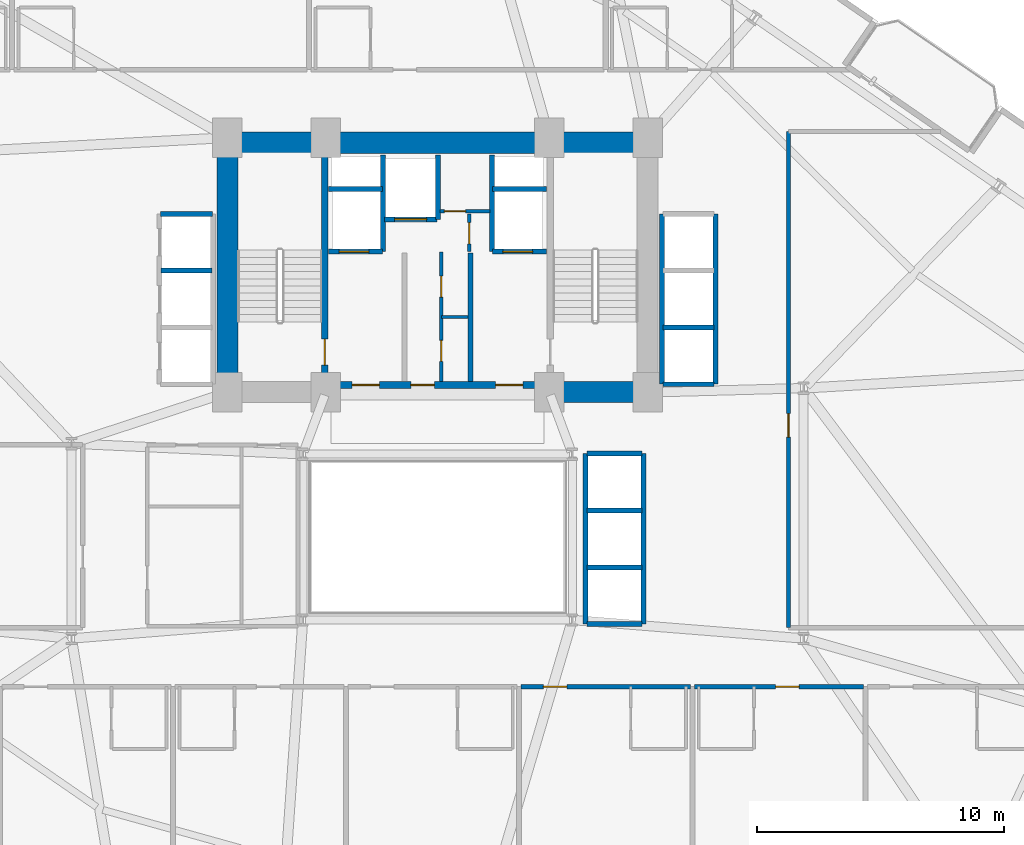
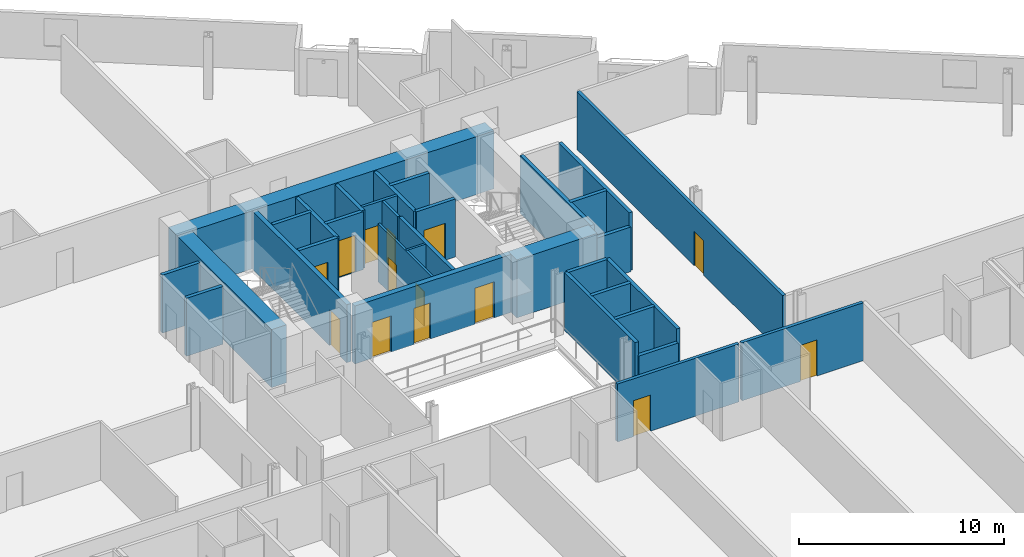
# One storey, part 19 of 25: 33 walls, 14 doors, 14 openings.
"""IFC4 building model written with IfcOpenShell, lengths in metres."""

from ifc_helpers import new_model, si_unit, direction, frame, frame_2d, origin, place, context, subcontext, project, spatial, rectangle, extrude, material, layer, layer_set, type_object, element, fill, save


model = new_model("IFC4")

# Units and contexts
model_context = context("Model", 3, precision=1e-05, world=origin(), true_north=direction((0.0, 1.0)))
body_context = subcontext(model_context, "Body", "Model", "MODEL_VIEW")
ifc_project = project(units=[si_unit("LENGTHUNIT", "METRE"), si_unit("AREAUNIT", "SQUARE_METRE"), si_unit("VOLUMEUNIT", "CUBIC_METRE"), si_unit("PLANEANGLEUNIT", "RADIAN"), si_unit("MASSUNIT", "GRAM", prefix="KILO")], contexts=[model_context])

# Site, building, storey
site_placement = place(None, origin())
site = spatial("IfcSite", under=ifc_project, at=site_placement, CompositionType="ELEMENT")
building_placement = place(site_placement, origin())
building = spatial("IfcBuilding", under=site, at=building_placement, Name="Varnelok Gate Tower", CompositionType="ELEMENT")
storey_placement = place(building_placement, frame((0.0, 0.0, 52.89990234375)))
storey = spatial("IfcBuildingStorey", under=building, at=storey_placement, Name="L12", CompositionType="ELEMENT", Elevation=52.89990234375)

# Wall, opening, door
ifc_material_1 = material(Name="Gypsum Plasterboard Acoustic Partition", Category="gypsum")
ifc_layer_1 = layer(ifc_material_1, 0.179931640625)
ifc_layer_set_1 = layer_set([ifc_layer_1], Name="Gypsum Plasterboard Acoustic Partition")
wall_type_1 = type_object("IfcWallType", Name="PW-CORR-180", PredefinedType="PARTITIONING", material=ifc_layer_set_1)
wall_1_placement = place(storey_placement, frame((42.580078125, 16.85009765625, 0.0), z_axis=(0.0, 0.0, 1.0), x_axis=(1.0, 0.0, 0.0)))
wall_1 = element("IfcWall", 1, at=wall_1_placement, inside=storey, type_object=wall_type_1, Name="Interior Partition", PredefinedType="PARTITIONING", context=body_context, shape_type="SweptSolid", body=[
    extrude(rectangle(XDim=6.83984375, YDim=0.179931640625, at=frame_2d((3.419921875, 0.0))), origin(), (0.0, 0.0, 1.0), 3.4501953125),
])
opening_1_placement = place(wall_1_placement, frame((0.89990234375, 0.0, 0.0)))
opening_1 = element("IfcOpeningElement", 2, at=opening_1_placement, cuts=wall_1, Name="Opening D-HT", PredefinedType="OPENING", context=body_context, shape_type="SweptSolid", body=[
    extrude(rectangle(XDim=0.949951171875, YDim=2.14990234375, at=frame_2d((0.47509765625, 1.074951171875))), frame((0.0, 0.099853515625, 0.0), z_axis=(0.0, -1.0, 0.0), x_axis=(1.0, 0.0, 0.0)), (0.0, 0.0, 1.0), 0.199951171875),
])
ifc_material_2 = material(Name="Engineered Hardwood Timber", Category="wood")
door_type_1 = type_object("IfcDoorType", Name="DR-HTL-950", OperationType="NOTDEFINED", PredefinedType="DOOR", material=ifc_material_2)
door_1_placement = place(opening_1_placement, origin())
door_1 = element("IfcDoor", 3, at=door_1_placement, inside=storey, type_object=door_type_1, Name="L12 Guest Room 06 Entrance Door", OperationType="SINGLE_SWING_LEFT", OverallHeight=2.14990234375, OverallWidth=0.949951171875, PredefinedType="DOOR", context=body_context, shape_type="SweptSolid", body=[
    extrude(rectangle(XDim=0.949951171875, YDim=2.14990234375, at=frame_2d((0.47509765625, 1.074951171875))), frame((0.0, 0.02490234375, 0.0), z_axis=(0.0, -1.0, 0.0), x_axis=(1.0, 0.0, 0.0)), (0.0, 0.0, 1.0), 0.050048828125),
])
fill(opening_1, door_1)

wall_2_placement = place(storey_placement, frame((49.580078125, 16.85009765625, 0.0), z_axis=(0.0, 0.0, 1.0), x_axis=(1.0, 0.0, 0.0)))
wall_2 = element("IfcWall", 4, at=wall_2_placement, inside=storey, type_object=wall_type_1, Name="Interior Partition", PredefinedType="PARTITIONING", context=body_context, shape_type="SweptSolid", body=[
    extrude(rectangle(XDim=6.83984375, YDim=0.179931640625, at=frame_2d((3.419921875, 0.0))), origin(), (0.0, 0.0, 1.0), 3.4501953125),
])
opening_2_placement = place(wall_2_placement, frame((3.2900390625, 0.0, 0.0)))
opening_2 = element("IfcOpeningElement", 5, at=opening_2_placement, cuts=wall_2, Name="Opening D-HT", PredefinedType="OPENING", context=body_context, shape_type="SweptSolid", body=[
    extrude(rectangle(XDim=0.949951171875, YDim=2.14990234375, at=frame_2d((0.47509765625, 1.074951171875))), frame((0.0, 0.099853515625, 0.0), z_axis=(0.0, -1.0, 0.0), x_axis=(1.0, 0.0, 0.0)), (0.0, 0.0, 1.0), 0.199951171875),
])
door_2_placement = place(opening_2_placement, origin())
door_2 = element("IfcDoor", 6, at=door_2_placement, inside=storey, type_object=door_type_1, Name="L12 Guest Room 07 Entrance Door", OperationType="SINGLE_SWING_RIGHT", OverallHeight=2.14990234375, OverallWidth=0.949951171875, PredefinedType="DOOR", context=body_context, shape_type="SweptSolid", body=[
    extrude(rectangle(XDim=0.949951171875, YDim=2.14990234375, at=frame_2d((0.47509765625, 1.074951171875))), frame((0.0, 0.02490234375, 0.0), z_axis=(0.0, -1.0, 0.0), x_axis=(1.0, 0.0, 0.0)), (0.0, 0.0, 1.0), 0.050048828125),
])
fill(opening_2, door_2)

wall_3_placement = place(storey_placement, frame((53.389892578125, 19.239990234375, 0.0), z_axis=(0.0, 0.0, 1.0), x_axis=(0.0, 1.0, 0.0)))
wall_3 = element("IfcWall", 7, at=wall_3_placement, inside=storey, type_object=wall_type_1, Name="Interior Partition", PredefinedType="PARTITIONING", context=body_context, shape_type="SweptSolid", body=[
    extrude(rectangle(XDim=20.06005859375, YDim=0.179931640625, at=frame_2d((10.030029296875, 0.0))), origin(), (0.0, 0.0, 1.0), 3.4501953125),
])
opening_3_placement = place(wall_3_placement, frame((7.699951171875, 0.0, 0.0)))
opening_3 = element("IfcOpeningElement", 8, at=opening_3_placement, cuts=wall_3, Name="Opening D-I2", PredefinedType="OPENING", context=body_context, shape_type="SweptSolid", body=[
    extrude(rectangle(XDim=0.949951171875, YDim=2.050048828125, at=frame_2d((0.47509765625, 1.02490234375))), frame((0.0, 0.099853515625, 0.0), z_axis=(0.0, -1.0, 0.0), x_axis=(1.0, 0.0, 0.0)), (0.0, 0.0, 1.0), 0.199951171875),
])
door_type_2 = type_object("IfcDoorType", Name="DR-INT-950", OperationType="NOTDEFINED", PredefinedType="DOOR", material=ifc_material_2)
door_3_placement = place(opening_3_placement, origin())
door_3 = element("IfcDoor", 9, at=door_3_placement, inside=storey, type_object=door_type_2, Name="L12 East Club Door", OperationType="SINGLE_SWING_RIGHT", OverallHeight=2.050048828125, OverallWidth=0.949951171875, PredefinedType="DOOR", context=body_context, shape_type="SweptSolid", body=[
    extrude(rectangle(XDim=0.949951171875, YDim=2.050048828125, at=frame_2d((0.47509765625, 1.02490234375))), frame((0.0, 0.02490234375, 0.0), z_axis=(0.0, -1.0, 0.0), x_axis=(1.0, 0.0, 0.0)), (0.0, 0.0, 1.0), 0.050048828125),
])
fill(opening_3, door_3)

# Wall
ifc_layer_2 = layer(ifc_material_1, 0.125)
ifc_layer_set_2 = layer_set([ifc_layer_2], Name="Gypsum Plasterboard Acoustic Partition")
wall_type_2 = type_object("IfcWallType", Name="PW-PART-125", PredefinedType="PARTITIONING", material=ifc_layer_set_2)
wall_4_placement = place(storey_placement, frame((39.35009765625, 31.800048828125, 0.0), z_axis=(0.0, 0.0, 1.0), x_axis=(1.0, 0.0, 0.0)))
element("IfcWall", 10, at=wall_4_placement, inside=storey, type_object=wall_type_2, Name="Interior Partition", PredefinedType="PARTITIONING", context=body_context, shape_type="SweptSolid", body=[
    extrude(rectangle(XDim=1.08984375, YDim=0.125, at=frame_2d((0.544921875, 0.0))), origin(), (0.0, 0.0, 1.0), 3.4501953125),
])

# Wall, openings, doors
wall_5_placement = place(storey_placement, frame((39.35009765625, 29.199951171875, 0.0), z_axis=(0.0, 0.0, 1.0), x_axis=(0.0, 1.0, 0.0)))
wall_5 = element("IfcWall", 11, at=wall_5_placement, inside=storey, type_object=wall_type_2, Name="Interior Partition", PredefinedType="PARTITIONING", context=body_context, shape_type="SweptSolid", body=[
    extrude(rectangle(XDim=5.219970703125, YDim=0.125, at=frame_2d((2.60986328125, 0.0))), origin(), (0.0, 0.0, 1.0), 3.4501953125),
])
opening_4_placement = place(wall_5_placement, frame((0.800048828125, 0.0, 0.0)))
opening_4 = element("IfcOpeningElement", 12, at=opening_4_placement, cuts=wall_5, Name="Opening D-RS", PredefinedType="OPENING", context=body_context, shape_type="SweptSolid", body=[
    extrude(rectangle(XDim=0.85009765625, YDim=2.050048828125, at=frame_2d((0.425048828125, 1.02490234375))), frame((0.0, 0.072509765625, 0.0), z_axis=(0.0, -1.0, 0.0), x_axis=(1.0, 0.0, 0.0)), (0.0, 0.0, 1.0), 0.14501953125),
])
opening_5_placement = place(wall_5_placement, frame((3.39990234375, 0.0, 0.0)))
opening_5 = element("IfcOpeningElement", 13, at=opening_5_placement, cuts=wall_5, Name="Opening D-RS", PredefinedType="OPENING", context=body_context, shape_type="SweptSolid", body=[
    extrude(rectangle(XDim=0.85009765625, YDim=2.050048828125, at=frame_2d((0.425048828125, 1.02490234375))), frame((0.0, 0.072509765625, 0.0), z_axis=(0.0, -1.0, 0.0), x_axis=(1.0, 0.0, 0.0)), (0.0, 0.0, 1.0), 0.14501953125),
])
ifc_material_3 = material(Name="Galvanized Steel Grade S350GD", Category="steel")
door_type_3 = type_object("IfcDoorType", Name="DR-RISER-850", OperationType="NOTDEFINED", PredefinedType="DOOR", material=ifc_material_3)
door_4_placement = place(opening_4_placement, origin())
door_4 = element("IfcDoor", 14, at=door_4_placement, inside=storey, type_object=door_type_3, Name="L12 Housekeeping Linen Door", OperationType="SINGLE_SWING_RIGHT", OverallHeight=2.050048828125, OverallWidth=0.85009765625, PredefinedType="DOOR", context=body_context, shape_type="SweptSolid", body=[
    extrude(rectangle(XDim=0.85009765625, YDim=2.050048828125, at=frame_2d((0.425048828125, 1.02490234375))), frame((0.0, 0.02490234375, 0.0), z_axis=(0.0, -1.0, 0.0), x_axis=(1.0, 0.0, 0.0)), (0.0, 0.0, 1.0), 0.050048828125),
])
fill(opening_4, door_4)
door_5_placement = place(opening_5_placement, origin())
door_5 = element("IfcDoor", 15, at=door_5_placement, inside=storey, type_object=door_type_3, Name="L12 Core Supply Door", OperationType="SINGLE_SWING_LEFT", OverallHeight=2.050048828125, OverallWidth=0.85009765625, PredefinedType="DOOR", context=body_context, shape_type="SweptSolid", body=[
    extrude(rectangle(XDim=0.85009765625, YDim=2.050048828125, at=frame_2d((0.425048828125, 1.02490234375))), frame((0.0, 0.02490234375, 0.0), z_axis=(0.0, -1.0, 0.0), x_axis=(1.0, 0.0, 0.0)), (0.0, 0.0, 1.0), 0.050048828125),
])
fill(opening_5, door_5)

# Wall, opening, door
ifc_layer_3 = layer(ifc_material_1, 0.14990234375)
ifc_layer_set_3 = layer_set([ifc_layer_3], Name="Gypsum Plasterboard Acoustic Partition")
wall_type_3 = type_object("IfcWallType", Name="PW-PART-150", PredefinedType="PARTITIONING", material=ifc_layer_set_3)
wall_6_placement = place(storey_placement, frame((39.300048828125, 36.080078125, 0.0), z_axis=(0.0, 0.0, 1.0), x_axis=(1.0, 0.0, 0.0)))
wall_6 = element("IfcWall", 16, at=wall_6_placement, inside=storey, type_object=wall_type_3, Name="L12 Electrical Closet South Wall", PredefinedType="PARTITIONING", context=body_context, shape_type="SweptSolid", body=[
    extrude(rectangle(XDim=2.02001953125, YDim=0.14990234375, at=frame_2d((1.010009765625, 0.0))), origin(), (0.0, 0.0, 1.0), 3.4501953125),
])
opening_6_placement = place(wall_6_placement, frame((0.179931640625, 0.0, 0.0)))
opening_6 = element("IfcOpeningElement", 17, at=opening_6_placement, cuts=wall_6, Name="Opening D-RS", PredefinedType="OPENING", context=body_context, shape_type="SweptSolid", body=[
    extrude(rectangle(XDim=0.85009765625, YDim=2.050048828125, at=frame_2d((0.425048828125, 1.02490234375))), frame((0.0, 0.0849609375, 0.0), z_axis=(0.0, -1.0, 0.0), x_axis=(1.0, 0.0, 0.0)), (0.0, 0.0, 1.0), 0.169921875),
])
door_6_placement = place(opening_6_placement, origin())
door_6 = element("IfcDoor", 18, at=door_6_placement, inside=storey, type_object=door_type_3, Name="L12 Electrical Closet Door", OperationType="SINGLE_SWING_RIGHT", OverallHeight=2.050048828125, OverallWidth=0.85009765625, PredefinedType="DOOR", context=body_context, shape_type="SweptSolid", body=[
    extrude(rectangle(XDim=0.85009765625, YDim=2.050048828125, at=frame_2d((0.425048828125, 1.02490234375))), frame((0.0, 0.02490234375, 0.0), z_axis=(0.0, -1.0, 0.0), x_axis=(1.0, 0.0, 0.0)), (0.0, 0.0, 1.0), 0.050048828125),
])
fill(opening_6, door_6)

wall_7_placement = place(storey_placement, frame((40.47998046875, 34.43994140625, 0.0), z_axis=(0.0, 0.0, 1.0), x_axis=(0.0, 1.0, 0.0)))
wall_7 = element("IfcWall", 19, at=wall_7_placement, inside=storey, type_object=wall_type_3, Name="L12 Telecoms Closet West Wall", PredefinedType="PARTITIONING", context=body_context, shape_type="SweptSolid", body=[
    extrude(rectangle(XDim=1.52001953125, YDim=0.14990234375, at=frame_2d((0.760009765625, 0.0))), origin(), (0.0, 0.0, 1.0), 3.4501953125),
])
opening_7_placement = place(wall_7_placement, frame((0.320068359375, 0.0, 0.0)))
opening_7 = element("IfcOpeningElement", 20, at=opening_7_placement, cuts=wall_7, Name="Opening D-RS", PredefinedType="OPENING", context=body_context, shape_type="SweptSolid", body=[
    extrude(rectangle(XDim=0.85009765625, YDim=2.050048828125, at=frame_2d((0.425048828125, 1.02490234375))), frame((0.0, 0.0849609375, 0.0), z_axis=(0.0, -1.0, 0.0), x_axis=(1.0, 0.0, 0.0)), (0.0, 0.0, 1.0), 0.169921875),
])
door_7_placement = place(opening_7_placement, origin())
door_7 = element("IfcDoor", 21, at=door_7_placement, inside=storey, type_object=door_type_3, Name="L12 Telecoms Closet Door", OperationType="SINGLE_SWING_LEFT", OverallHeight=2.050048828125, OverallWidth=0.85009765625, PredefinedType="DOOR", context=body_context, shape_type="SweptSolid", body=[
    extrude(rectangle(XDim=0.85009765625, YDim=2.050048828125, at=frame_2d((0.425048828125, 1.02490234375))), frame((0.0, 0.02490234375, 0.0), z_axis=(0.0, -1.0, 0.0), x_axis=(1.0, 0.0, 0.0)), (0.0, 0.0, 1.0), 0.050048828125),
])
fill(opening_7, door_7)

# Wall
ifc_material_4 = material(Name="Concrete C35/45", Category="concrete")
ifc_layer_4 = layer(ifc_material_4, 0.199951171875)
ifc_layer_set_4 = layer_set([ifc_layer_4], Name="Concrete C35/45")
wall_type_4 = type_object("IfcWallType", Name="PW-SHAFT-200", PredefinedType="PARTITIONING", material=ifc_layer_set_4)
wall_8_placement = place(storey_placement, frame((40.5400390625, 29.199951171875, 0.0), z_axis=(0.0, 0.0, 1.0), x_axis=(0.0, 1.0, 0.0)))
element("IfcWall", 22, at=wall_8_placement, inside=storey, type_object=wall_type_4, Name="L12 East FF Lobby Rated Wall", PredefinedType="PARTITIONING", context=body_context, shape_type="SweptSolid", body=[
    extrude(rectangle(XDim=5.179931640625, YDim=0.199951171875, at=frame_2d((2.58984375, 0.0))), origin(), (0.0, 0.0, 1.0), 3.4501953125),
])

# Wall, opening, door
wall_9_placement = place(storey_placement, frame((34.800048828125, 34.43994140625, 0.0), z_axis=(0.0, 0.0, 1.0), x_axis=(1.0, 0.0, 0.0)))
wall_9 = element("IfcWall", 23, at=wall_9_placement, inside=storey, type_object=wall_type_4, Name="L12 FF1 Shaft Front Wall", PredefinedType="PARTITIONING", context=body_context, shape_type="SweptSolid", body=[
    extrude(rectangle(XDim=2.179931640625, YDim=0.199951171875, at=frame_2d((1.08984375, 0.0))), origin(), (0.0, 0.0, 1.0), 3.4501953125),
])
opening_8_placement = place(wall_9_placement, frame((0.419921875, 0.0, 0.0)))
opening_8 = element("IfcOpeningElement", 24, at=opening_8_placement, cuts=wall_9, Name="Opening LD-FF1", PredefinedType="OPENING", context=body_context, shape_type="SweptSolid", body=[
    extrude(rectangle(XDim=1.199951171875, YDim=2.199951171875, at=frame_2d((0.60009765625, 1.10009765625))), frame((0.0, 0.10986328125, 0.0), z_axis=(0.0, -1.0, 0.0), x_axis=(1.0, 0.0, 0.0)), (0.0, 0.0, 1.0), 0.219970703125),
])
door_type_4 = type_object("IfcDoorType", Name="DR-LIFT-FF1200", OperationType="SLIDING_TO_LEFT", PredefinedType="DOOR", material=ifc_material_3)
door_8_placement = place(opening_8_placement, origin())
door_8 = element("IfcDoor", 25, at=door_8_placement, inside=storey, type_object=door_type_4, Name="L12 Firefighting Lift Landing Door LD-FF1", OperationType="SLIDING_TO_LEFT", OverallHeight=2.199951171875, OverallWidth=1.199951171875, PredefinedType="DOOR", context=body_context, shape_type="SweptSolid", body=[
    extrude(rectangle(XDim=1.199951171875, YDim=2.199951171875, at=frame_2d((0.60009765625, 1.10009765625))), frame((0.0, 0.02490234375, 0.0), z_axis=(0.0, -1.0, 0.0), x_axis=(1.0, 0.0, 0.0)), (0.0, 0.0, 1.0), 0.050048828125),
])
fill(opening_8, door_8)

# Walls
wall_10_placement = place(storey_placement, frame((34.800048828125, 36.97998046875, 0.0), z_axis=(0.0, 0.0, 1.0), x_axis=(1.0, 0.0, 0.0)))
element("IfcWall", 26, at=wall_10_placement, inside=storey, type_object=wall_type_4, Name="L12 FF1 Shaft North Wall", PredefinedType="PARTITIONING", context=body_context, shape_type="SweptSolid", body=[
    extrude(rectangle(XDim=2.179931640625, YDim=0.199951171875, at=frame_2d((1.08984375, 0.0))), origin(), (0.0, 0.0, 1.0), 3.4501953125),
])
wall_11_placement = place(storey_placement, frame((37.0, 34.43994140625, 0.0), z_axis=(0.0, 0.0, 1.0), x_axis=(0.0, 1.0, 0.0)))
element("IfcWall", 27, at=wall_11_placement, inside=storey, type_object=wall_type_4, Name="L12 FF1 Shaft Side Wall", PredefinedType="PARTITIONING", context=body_context, shape_type="SweptSolid", body=[
    extrude(rectangle(XDim=3.900146484375, YDim=0.199951171875, at=frame_2d((1.9501953125, 0.0))), origin(), (0.0, 0.0, 1.0), 3.4501953125),
])

# Wall, opening, door
wall_12_placement = place(storey_placement, frame((41.419921875, 34.43994140625, 0.0), z_axis=(0.0, 0.0, 1.0), x_axis=(1.0, 0.0, 0.0)))
wall_12 = element("IfcWall", 28, at=wall_12_placement, inside=storey, type_object=wall_type_4, Name="L12 FF2 Shaft Front Wall", PredefinedType="PARTITIONING", context=body_context, shape_type="SweptSolid", body=[
    extrude(rectangle(XDim=2.18017578125, YDim=0.199951171875, at=frame_2d((1.090087890625, 0.0))), origin(), (0.0, 0.0, 1.0), 3.4501953125),
])
opening_9_placement = place(wall_12_placement, frame((0.419921875, 0.0, 0.0)))
opening_9 = element("IfcOpeningElement", 29, at=opening_9_placement, cuts=wall_12, Name="Opening LD-FF2", PredefinedType="OPENING", context=body_context, shape_type="SweptSolid", body=[
    extrude(rectangle(XDim=1.199951171875, YDim=2.199951171875, at=frame_2d((0.60009765625, 1.10009765625))), frame((0.0, 0.10986328125, 0.0), z_axis=(0.0, -1.0, 0.0), x_axis=(1.0, 0.0, 0.0)), (0.0, 0.0, 1.0), 0.219970703125),
])
door_9_placement = place(opening_9_placement, origin())
door_9 = element("IfcDoor", 30, at=door_9_placement, inside=storey, type_object=door_type_4, Name="L12 Firefighting Lift Landing Door LD-FF2", OperationType="SLIDING_TO_LEFT", OverallHeight=2.199951171875, OverallWidth=1.199951171875, PredefinedType="DOOR", context=body_context, shape_type="SweptSolid", body=[
    extrude(rectangle(XDim=1.199951171875, YDim=2.199951171875, at=frame_2d((0.60009765625, 1.10009765625))), frame((0.0, 0.02490234375, 0.0), z_axis=(0.0, -1.0, 0.0), x_axis=(1.0, 0.0, 0.0)), (0.0, 0.0, 1.0), 0.050048828125),
])
fill(opening_9, door_9)

# Walls
wall_13_placement = place(storey_placement, frame((41.419921875, 36.97998046875, 0.0), z_axis=(0.0, 0.0, 1.0), x_axis=(1.0, 0.0, 0.0)))
element("IfcWall", 31, at=wall_13_placement, inside=storey, type_object=wall_type_4, Name="L12 FF2 Shaft North Wall", PredefinedType="PARTITIONING", context=body_context, shape_type="SweptSolid", body=[
    extrude(rectangle(XDim=2.18017578125, YDim=0.199951171875, at=frame_2d((1.090087890625, 0.0))), origin(), (0.0, 0.0, 1.0), 3.4501953125),
])
wall_14_placement = place(storey_placement, frame((41.39990234375, 34.43994140625, 0.0), z_axis=(0.0, 0.0, 1.0), x_axis=(0.0, 1.0, 0.0)))
element("IfcWall", 32, at=wall_14_placement, inside=storey, type_object=wall_type_4, Name="L12 FF2 Shaft Side Wall", PredefinedType="PARTITIONING", context=body_context, shape_type="SweptSolid", body=[
    extrude(rectangle(XDim=3.900146484375, YDim=0.199951171875, at=frame_2d((1.9501953125, 0.0))), origin(), (0.0, 0.0, 1.0), 3.4501953125),
])

# Wall, opening, door
wall_15_placement = place(storey_placement, frame((37.06005859375, 35.75, 0.0), z_axis=(0.0, 0.0, 1.0), x_axis=(1.0, 0.0, 0.0)))
wall_15 = element("IfcWall", 33, at=wall_15_placement, inside=storey, type_object=wall_type_4, Name="L12 SV1 Shaft Front Wall", PredefinedType="PARTITIONING", context=body_context, shape_type="SweptSolid", body=[
    extrude(rectangle(XDim=2.119873046875, YDim=0.199951171875, at=frame_2d((1.06005859375, 0.0))), origin(), (0.0, 0.0, 1.0), 3.4501953125),
])
opening_10_placement = place(wall_15_placement, frame((0.39990234375, 0.0, 0.0)))
opening_10 = element("IfcOpeningElement", 34, at=opening_10_placement, cuts=wall_15, Name="Opening LD-SV1", PredefinedType="OPENING", context=body_context, shape_type="SweptSolid", body=[
    extrude(rectangle(XDim=1.300048828125, YDim=2.199951171875, at=frame_2d((0.64990234375, 1.10009765625))), frame((0.0, 0.10986328125, 0.0), z_axis=(0.0, -1.0, 0.0), x_axis=(1.0, 0.0, 0.0)), (0.0, 0.0, 1.0), 0.219970703125),
])
door_type_5 = type_object("IfcDoorType", Name="DR-LIFT-SV1300", OperationType="SLIDING_TO_LEFT", PredefinedType="DOOR", material=ifc_material_3)
door_10_placement = place(opening_10_placement, origin())
door_10 = element("IfcDoor", 35, at=door_10_placement, inside=storey, type_object=door_type_5, Name="L12 Service Lift Landing Door LD-SV1", OperationType="SLIDING_TO_LEFT", OverallHeight=2.199951171875, OverallWidth=1.300048828125, PredefinedType="DOOR", context=body_context, shape_type="SweptSolid", body=[
    extrude(rectangle(XDim=1.300048828125, YDim=2.199951171875, at=frame_2d((0.64990234375, 1.10009765625))), frame((0.0, 0.02490234375, 0.0), z_axis=(0.0, -1.0, 0.0), x_axis=(1.0, 0.0, 0.0)), (0.0, 0.0, 1.0), 0.050048828125),
])
fill(opening_10, door_10)

# Walls
wall_16_placement = place(storey_placement, frame((39.219970703125, 35.75, 0.0), z_axis=(0.0, 0.0, 1.0), x_axis=(0.0, 1.0, 0.0)))
element("IfcWall", 36, at=wall_16_placement, inside=storey, type_object=wall_type_4, Name="L12 SV1 Shaft East Wall", PredefinedType="PARTITIONING", context=body_context, shape_type="SweptSolid", body=[
    extrude(rectangle(XDim=2.590087890625, YDim=0.199951171875, at=frame_2d((1.294921875, 0.0))), origin(), (0.0, 0.0, 1.0), 3.4501953125),
])
wall_17_placement = place(storey_placement, frame((28.02001953125, 33.675048828125, 0.0), z_axis=(0.0, 0.0, 1.0), x_axis=(1.0, 0.0, 0.0)))
element("IfcWall", 37, at=wall_17_placement, inside=storey, type_object=wall_type_4, Name="L12 PL2 Divider", PredefinedType="PARTITIONING", context=body_context, shape_type="SweptSolid", body=[
    extrude(rectangle(XDim=2.06005859375, YDim=0.199951171875, at=frame_2d((1.030029296875, 0.0))), origin(), (0.0, 0.0, 1.0), 3.4501953125),
])
wall_18_placement = place(storey_placement, frame((28.0, 35.969970703125, 0.0), z_axis=(0.0, 0.0, 1.0), x_axis=(1.0, 0.0, 0.0)))
element("IfcWall", 38, at=wall_18_placement, inside=storey, type_object=wall_type_4, Name="L12 PL Bank North Wall", PredefinedType="PARTITIONING", context=body_context, shape_type="SweptSolid", body=[
    extrude(rectangle(XDim=2.10009765625, YDim=0.199951171875, at=frame_2d((1.050048828125, 0.0))), origin(), (0.0, 0.0, 1.0), 3.4501953125),
])
wall_19_placement = place(storey_placement, frame((48.320068359375, 31.375, 0.0), z_axis=(0.0, 0.0, 1.0), x_axis=(1.0, 0.0, 0.0)))
element("IfcWall", 39, at=wall_19_placement, inside=storey, type_object=wall_type_4, Name="L12 PM1 Divider", PredefinedType="PARTITIONING", context=body_context, shape_type="SweptSolid", body=[
    extrude(rectangle(XDim=2.059814453125, YDim=0.199951171875, at=frame_2d((1.02978515625, 0.0))), origin(), (0.0, 0.0, 1.0), 3.4501953125),
])
wall_20_placement = place(storey_placement, frame((48.320068359375, 29.080078125, 0.0), z_axis=(0.0, 0.0, 1.0), x_axis=(1.0, 0.0, 0.0)))
element("IfcWall", 40, at=wall_20_placement, inside=storey, type_object=wall_type_4, Name="L12 PM Bank South Wall", PredefinedType="PARTITIONING", context=body_context, shape_type="SweptSolid", body=[
    extrude(rectangle(XDim=2.059814453125, YDim=0.199951171875, at=frame_2d((1.02978515625, 0.0))), origin(), (0.0, 0.0, 1.0), 2.662109375),
])
for number, where, z_axis, x_axis, name in (
    (41, (48.280029296875, 29.080078125, 0.0), (0.0, 0.0, 1.0), (0.0, 1.0, 0.0), "L12 PM Bank Back Wall"),
    (42, (50.43994140625, 29.080078125, 0.0), (0.0, 0.0, 1.0), (0.0, 1.0, 0.0), "L12 PM Bank Front Wall"),
):
    element("IfcWall", number, at=place(storey_placement, frame(where, z_axis=z_axis, x_axis=x_axis)), inside=storey, type_object=wall_type_4, Name=name, PredefinedType="PARTITIONING", context=body_context, shape_type="SweptSolid", body=[
        extrude(rectangle(XDim=6.889892578125, YDim=0.199951171875, at=frame_2d((3.44482421875, 0.0))), origin(), (0.0, 0.0, 1.0), 3.4501953125),
    ])
for number, where, z_axis, x_axis, name in (
    (43, (45.239990234375, 21.675048828125, 0.0), (0.0, 0.0, 1.0), (1.0, 0.0, 0.0), "L12 PH1 Divider"),
    (44, (45.239990234375, 23.97509765625, 0.0), (0.0, 0.0, 1.0), (1.0, 0.0, 0.0), "L12 PH2 Divider"),
):
    element("IfcWall", number, at=place(storey_placement, frame(where, z_axis=z_axis, x_axis=x_axis)), inside=storey, type_object=wall_type_4, Name=name, PredefinedType="PARTITIONING", context=body_context, shape_type="SweptSolid", body=[
        extrude(rectangle(XDim=2.219970703125, YDim=0.199951171875, at=frame_2d((1.10986328125, 0.0))), origin(), (0.0, 0.0, 1.0), 3.4501953125),
    ])
wall_21_placement = place(storey_placement, frame((45.239990234375, 19.3798828125, 0.0), z_axis=(0.0, 0.0, 1.0), x_axis=(1.0, 0.0, 0.0)))
element("IfcWall", 45, at=wall_21_placement, inside=storey, type_object=wall_type_4, Name="L12 PH Bank South Wall", PredefinedType="PARTITIONING", context=body_context, shape_type="SweptSolid", body=[
    extrude(rectangle(XDim=2.219970703125, YDim=0.199951171875, at=frame_2d((1.10986328125, 0.0))), origin(), (0.0, 0.0, 1.0), 2.662109375),
])
wall_22_placement = place(storey_placement, frame((45.239990234375, 26.280029296875, 0.0), z_axis=(0.0, 0.0, 1.0), x_axis=(1.0, 0.0, 0.0)))
element("IfcWall", 46, at=wall_22_placement, inside=storey, type_object=wall_type_4, Name="L12 PH Bank North Wall", PredefinedType="PARTITIONING", context=body_context, shape_type="SweptSolid", body=[
    extrude(rectangle(XDim=2.219970703125, YDim=0.199951171875, at=frame_2d((1.10986328125, 0.0))), origin(), (0.0, 0.0, 1.0), 3.4501953125),
])
for number, where, z_axis, x_axis, name in (
    (47, (45.179931640625, 19.3798828125, 0.0), (0.0, 0.0, 1.0), (0.0, 1.0, 0.0), "L12 PH Bank Atrium Wall"),
    (48, (47.52001953125, 19.3798828125, 0.0), (0.0, 0.0, 1.0), (0.0, 1.0, 0.0), "L12 PH Bank Front Wall"),
):
    element("IfcWall", number, at=place(storey_placement, frame(where, z_axis=z_axis, x_axis=x_axis)), inside=storey, type_object=wall_type_4, Name=name, PredefinedType="PARTITIONING", context=body_context, shape_type="SweptSolid", body=[
        extrude(rectangle(XDim=6.900146484375, YDim=0.199951171875, at=frame_2d((3.4501953125, 0.0))), origin(), (0.0, 0.0, 1.0), 3.4501953125),
    ])
ifc_material_5 = material(Name="Concrete C70/85", Category="concrete")
ifc_layer_5 = layer(ifc_material_5, 0.85009765625)
ifc_layer_set_5 = layer_set([ifc_layer_5], Name="Concrete C70/85")
wall_type_5 = type_object("IfcWallType", Name="SW-CORE-850", PredefinedType="SHEAR", material=ifc_layer_set_5)
wall_23_placement = place(storey_placement, frame((30.280029296875, 38.844970703125, 0.0), z_axis=(0.0, 0.0, 1.0), x_axis=(1.0, 0.0, 0.0)))
element("IfcWall", 49, at=wall_23_placement, inside=storey, type_object=wall_type_5, Name="L12 Rear Core North Shear Wall", PredefinedType="SHEAR", context=body_context, shape_type="SweptSolid", body=[
    extrude(rectangle(XDim=17.840087890625, YDim=0.85009765625, at=frame_2d((8.919921875, 0.0))), origin(), (0.0, 0.0, 1.0), 3.4501953125),
])
wall_24_placement = place(storey_placement, frame((30.705078125, 29.199951171875, 0.0), z_axis=(0.0, 0.0, 1.0), x_axis=(0.0, 1.0, 0.0)))
element("IfcWall", 50, at=wall_24_placement, inside=storey, type_object=wall_type_5, Name="L12 Rear Core West Shear Wall", PredefinedType="SHEAR", context=body_context, shape_type="SweptSolid", body=[
    extrude(rectangle(XDim=9.219970703125, YDim=0.85009765625, at=frame_2d((4.60986328125, 0.0))), origin(), (0.0, 0.0, 1.0), 3.4501953125),
])
wall_25_placement = place(storey_placement, frame((43.60009765625, 28.77490234375, 0.0), z_axis=(0.0, 0.0, 1.0), x_axis=(1.0, 0.0, 0.0)))
element("IfcWall", 51, at=wall_25_placement, inside=storey, type_object=wall_type_5, Name="L12 Rear Core South-East Shear Wall", PredefinedType="SHEAR", context=body_context, shape_type="SweptSolid", body=[
    extrude(rectangle(XDim=4.52001953125, YDim=0.85009765625, at=frame_2d((2.260009765625, 0.0))), origin(), (0.0, 0.0, 1.0), 3.4501953125),
])

# Wall, opening, door
ifc_material_6 = material(Name="Concrete C60/75", Category="concrete")
ifc_layer_6 = layer(ifc_material_6, 0.25)
ifc_layer_set_6 = layer_set([ifc_layer_6], Name="Concrete C60/75")
wall_type_6 = type_object("IfcWallType", Name="SW-SHAFT-250", PredefinedType="SHEAR", material=ifc_layer_set_6)
wall_26_placement = place(storey_placement, frame((34.639892578125, 29.199951171875, 0.0), z_axis=(0.0, 0.0, 1.0), x_axis=(0.0, 1.0, 0.0)))
wall_26 = element("IfcWall", 52, at=wall_26_placement, inside=storey, type_object=wall_type_6, Name="L12 Stair ST-1 East Shear Wall", PredefinedType="SHEAR", context=body_context, shape_type="SweptSolid", body=[
    extrude(rectangle(XDim=9.219970703125, YDim=0.25, at=frame_2d((4.60986328125, 0.0))), origin(), (0.0, 0.0, 1.0), 3.4501953125),
])
opening_11_placement = place(wall_26_placement, frame((0.64990234375, 0.0, 0.0)))
opening_11 = element("IfcOpeningElement", 53, at=opening_11_placement, cuts=wall_26, Name="Opening D-ST", PredefinedType="OPENING", context=body_context, shape_type="SweptSolid", body=[
    extrude(rectangle(XDim=1.050048828125, YDim=2.14990234375, at=frame_2d((0.52490234375, 1.074951171875))), frame((0.0, 0.135009765625, 0.0), z_axis=(0.0, -1.0, 0.0), x_axis=(1.0, 0.0, 0.0)), (0.0, 0.0, 1.0), 0.27001953125),
])
door_type_6 = type_object("IfcDoorType", Name="DR-STAIR-1050", OperationType="NOTDEFINED", PredefinedType="DOOR", material=ifc_material_3)
door_11_placement = place(opening_11_placement, origin())
door_11 = element("IfcDoor", 54, at=door_11_placement, inside=storey, type_object=door_type_6, Name="L12 Exit Stair ST-1 Fire Door", OperationType="SINGLE_SWING_LEFT", OverallHeight=2.14990234375, OverallWidth=1.050048828125, PredefinedType="DOOR", context=body_context, shape_type="SweptSolid", body=[
    extrude(rectangle(XDim=1.050048828125, YDim=2.14990234375, at=frame_2d((0.52490234375, 1.074951171875))), frame((0.0, 0.02490234375, 0.0), z_axis=(0.0, -1.0, 0.0), x_axis=(1.0, 0.0, 0.0)), (0.0, 0.0, 1.0), 0.050048828125),
])
fill(opening_11, door_11)

# Wall, openings, doors
ifc_layer_7 = layer(ifc_material_6, 0.300048828125)
ifc_layer_set_7 = layer_set([ifc_layer_7], Name="Concrete C60/75")
wall_type_7 = type_object("IfcWallType", Name="SW-SHAFT-300", PredefinedType="SHEAR", material=ifc_layer_set_7)
wall_27_placement = place(storey_placement, frame((34.800048828125, 29.050048828125, 0.0), z_axis=(0.0, 0.0, 1.0), x_axis=(1.0, 0.0, 0.0)))
wall_27 = element("IfcWall", 55, at=wall_27_placement, inside=storey, type_object=wall_type_7, Name="L12 Rear Core Central Lobby Shear Wall", PredefinedType="SHEAR", context=body_context, shape_type="SweptSolid", body=[
    extrude(rectangle(XDim=8.800048828125, YDim=0.300048828125, at=frame_2d((4.39990234375, 0.0))), origin(), (0.0, 0.0, 1.0), 3.4501953125),
])
opening_12_placement = place(wall_27_placement, frame((0.949951171875, 0.0, 0.0)))
opening_12 = element("IfcOpeningElement", 56, at=opening_12_placement, cuts=wall_27, Name="Opening D-FF", PredefinedType="OPENING", context=body_context, shape_type="SweptSolid", body=[
    extrude(rectangle(XDim=1.10009765625, YDim=2.14990234375, at=frame_2d((0.550048828125, 1.074951171875))), frame((0.0, 0.159912109375, 0.0), z_axis=(0.0, -1.0, 0.0), x_axis=(1.0, 0.0, 0.0)), (0.0, 0.0, 1.0), 0.320068359375),
])
opening_13_placement = place(wall_27_placement, frame((6.75, 0.0, 0.0)))
opening_13 = element("IfcOpeningElement", 57, at=opening_13_placement, cuts=wall_27, Name="Opening D-FF", PredefinedType="OPENING", context=body_context, shape_type="SweptSolid", body=[
    extrude(rectangle(XDim=1.10009765625, YDim=2.14990234375, at=frame_2d((0.550048828125, 1.074951171875))), frame((0.0, 0.159912109375, 0.0), z_axis=(0.0, -1.0, 0.0), x_axis=(1.0, 0.0, 0.0)), (0.0, 0.0, 1.0), 0.320068359375),
])
opening_14_placement = place(wall_27_placement, frame((3.320068359375, 0.0, 0.0)))
opening_14 = element("IfcOpeningElement", 58, at=opening_14_placement, cuts=wall_27, Name="Opening D-CR", PredefinedType="OPENING", context=body_context, shape_type="SweptSolid", body=[
    extrude(rectangle(XDim=0.949951171875, YDim=2.14990234375, at=frame_2d((0.47509765625, 1.074951171875))), frame((0.0, 0.159912109375, 0.0), z_axis=(0.0, -1.0, 0.0), x_axis=(1.0, 0.0, 0.0)), (0.0, 0.0, 1.0), 0.320068359375),
])
door_type_7 = type_object("IfcDoorType", Name="DR-CORR-950", OperationType="NOTDEFINED", PredefinedType="DOOR", material=ifc_material_3)
door_12_placement = place(opening_14_placement, origin())
door_12 = element("IfcDoor", 59, at=door_12_placement, inside=storey, type_object=door_type_7, Name="L12 Core Service Passage Door", OperationType="SINGLE_SWING_LEFT", OverallHeight=2.14990234375, OverallWidth=0.949951171875, PredefinedType="DOOR", context=body_context, shape_type="SweptSolid", body=[
    extrude(rectangle(XDim=0.949951171875, YDim=2.14990234375, at=frame_2d((0.47509765625, 1.074951171875))), frame((0.0, 0.02490234375, 0.0), z_axis=(0.0, -1.0, 0.0), x_axis=(1.0, 0.0, 0.0)), (0.0, 0.0, 1.0), 0.050048828125),
])
fill(opening_14, door_12)
door_type_8 = type_object("IfcDoorType", Name="DR-FFLOB-1100", OperationType="NOTDEFINED", PredefinedType="DOOR", material=ifc_material_3)
door_13_placement = place(opening_12_placement, origin())
door_13 = element("IfcDoor", 60, at=door_13_placement, inside=storey, type_object=door_type_8, Name="L12 West Firefighting Lobby Fire Door", OperationType="SINGLE_SWING_RIGHT", OverallHeight=2.14990234375, OverallWidth=1.10009765625, PredefinedType="DOOR", context=body_context, shape_type="SweptSolid", body=[
    extrude(rectangle(XDim=1.10009765625, YDim=2.14990234375, at=frame_2d((0.550048828125, 1.074951171875))), frame((0.0, 0.02490234375, 0.0), z_axis=(0.0, -1.0, 0.0), x_axis=(1.0, 0.0, 0.0)), (0.0, 0.0, 1.0), 0.050048828125),
])
fill(opening_12, door_13)
door_14_placement = place(opening_13_placement, origin())
door_14 = element("IfcDoor", 61, at=door_14_placement, inside=storey, type_object=door_type_8, Name="L12 East Firefighting Lobby Fire Door", OperationType="SINGLE_SWING_LEFT", OverallHeight=2.14990234375, OverallWidth=1.10009765625, PredefinedType="DOOR", context=body_context, shape_type="SweptSolid", body=[
    extrude(rectangle(XDim=1.10009765625, YDim=2.14990234375, at=frame_2d((0.550048828125, 1.074951171875))), frame((0.0, 0.02490234375, 0.0), z_axis=(0.0, -1.0, 0.0), x_axis=(1.0, 0.0, 0.0)), (0.0, 0.0, 1.0), 0.050048828125),
])
fill(opening_13, door_14)

save(model, "model.ifc")
